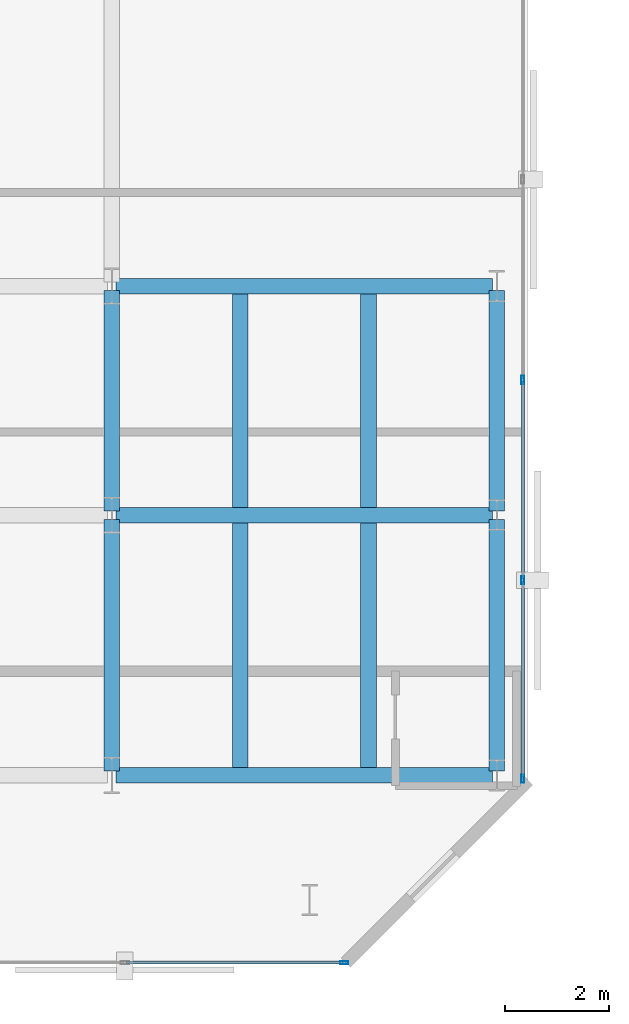
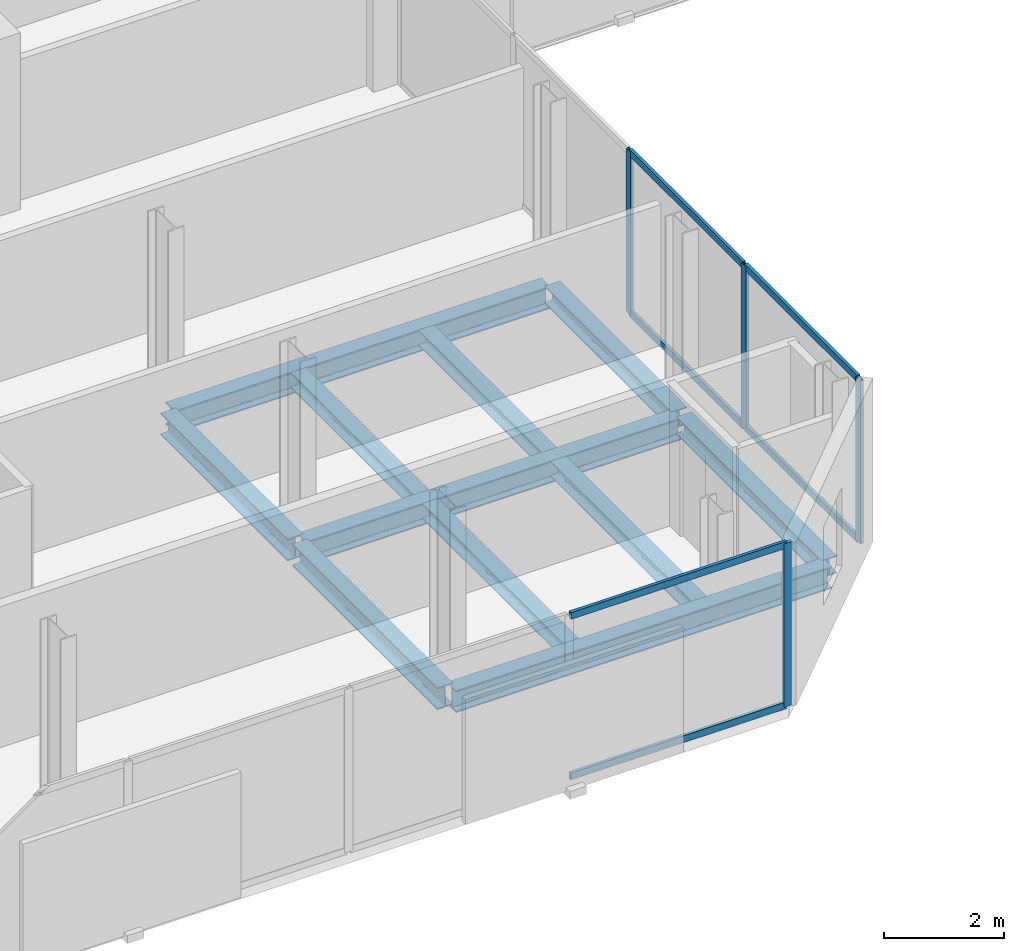
# One storey, part 7 of 32: 11 beams, 10 members, 2 elements without a shape of their own.
"""IFC4 building model written with IfcOpenShell, lengths in metres."""

import ifcopenshell
import ifcopenshell.guid

model = None  # the IFC model being written
_history = None  # IfcOwnerHistory: only IFC2X3 demands one
_inside = {}  # id of a spatial element -> (the spatial element, [elements in it])
_under = {}  # id of a project, library or spatial element -> (it, [spatial elements below it])
_declared = {}  # id of a project -> (the project, [libraries it declares])
_typed = {}  # id of a type object -> (the type object, [elements of that type])
_made_of = {}  # id of a material, layer set ... -> (it, [elements and type objects made of it])


def new_model(schema):
    """Start an empty IFC model of exactly this schema.

    Asked for "IFC4X3", IfcOpenShell would pick the latest addendum, in which some entities
    have other attributes; the version numbers below select the first issue.
    IFC2X3 requires an IfcOwnerHistory on every rooted entity: one is made here for all.
    """
    global model, _history
    if schema == "IFC4X3":
        model = ifcopenshell.file(schema_version=(4, 3, 0, 0))
    else:
        model = ifcopenshell.file(schema=schema)
    _inside.clear()
    _under.clear()
    _declared.clear()
    _typed.clear()
    _made_of.clear()
    _history = None
    if model.schema == "IFC2X3":
        org = make("IfcOrganization", Name="unknown")
        user = make(
            "IfcPersonAndOrganization",
            ThePerson=make("IfcPerson", FamilyName="unknown"),
            TheOrganization=org,
        )
        app = make(
            "IfcApplication",
            ApplicationDeveloper=org,
            Version="unknown",
            ApplicationFullName="unknown",
            ApplicationIdentifier="unknown",
        )
        _history = make(
            "IfcOwnerHistory",
            OwningUser=user,
            OwningApplication=app,
            ChangeAction="ADDED",
            CreationDate=0,
        )
    return model


def make(cls, **values):
    """One entity of the class cls with the attributes given. An attribute that is None is left unset."""
    return model.create_entity(
        cls, **{name: value for name, value in values.items() if value is not None}
    )


def rooted(cls, **values):
    """An entity with a GlobalId (a new one), such as an element, a storey or a relation."""
    return make(cls, GlobalId=ifcopenshell.guid.new(), OwnerHistory=_history, **values)


def si_unit(unit_type, name, prefix=None):
    """IfcSIUnit, for example si_unit("LENGTHUNIT", "METRE", prefix="MILLI")."""
    return make("IfcSIUnit", UnitType=unit_type, Prefix=prefix, Name=name)


def assignment(units):
    """IfcUnitAssignment: the units of a project."""
    return None if units is None else make("IfcUnitAssignment", Units=units)


def point(xyz):
    """IfcCartesianPoint."""
    return None if xyz is None else make("IfcCartesianPoint", Coordinates=xyz)


def direction(xyz):
    """IfcDirection."""
    return None if xyz is None else make("IfcDirection", DirectionRatios=xyz)


def frame(location, z_axis=None, x_axis=None):
    """IfcAxis2Placement3D, a coordinate frame: its origin and axes. An axis left out is left unset."""
    return make(
        "IfcAxis2Placement3D",
        Location=point(location),
        Axis=direction(z_axis),
        RefDirection=direction(x_axis),
    )


def frame_2d(location, x_axis=None):
    """IfcAxis2Placement2D, a coordinate frame in the plane: its origin and x axis."""
    return make(
        "IfcAxis2Placement2D", Location=point(location), RefDirection=direction(x_axis)
    )


def origin():
    """The frame at (0, 0, 0) with its axes left unset."""
    return frame((0.0, 0.0, 0.0))


def origin_2d():
    """The frame at (0, 0) in the plane with its x axis left unset."""
    return frame_2d((0.0, 0.0))


def place(relative_to, where):
    """IfcLocalPlacement: puts the frame where relative to a parent placement (None: the world)."""
    return make(
        "IfcLocalPlacement", PlacementRelTo=relative_to, RelativePlacement=where
    )


def context(
    kind, dimensions, precision=None, world=None, true_north=None, identifier=None
):
    """IfcGeometricRepresentationContext, for example the 3D "Model" context."""
    return make(
        "IfcGeometricRepresentationContext",
        ContextIdentifier=identifier,
        ContextType=kind,
        CoordinateSpaceDimension=dimensions,
        Precision=precision,
        WorldCoordinateSystem=world,
        TrueNorth=true_north,
    )


def subcontext(parent, identifier, kind, view, scale=None):
    """IfcGeometricRepresentationSubContext, for example "Body" below "Model"."""
    return make(
        "IfcGeometricRepresentationSubContext",
        ContextIdentifier=identifier,
        ContextType=kind,
        ParentContext=parent,
        TargetScale=scale,
        TargetView=view,
    )


def project(units=None, contexts=None):
    """IfcProject with its units and contexts."""
    return rooted(
        "IfcProject",
        Name="project",
        RepresentationContexts=contexts,
        UnitsInContext=assignment(units),
    )


def spatial(cls, under=None, at=None, **own):
    """A site, building, storey or space (cls), placed at a placement, below another one or the project."""
    s = rooted(cls, ObjectPlacement=at, **own)
    if under is not None:
        _under.setdefault(under.id(), (under, []))[1].append(s)
    return s


def profile(cls, at=None, kind="AREA", **sizes):
    """A parametric profile (cls). Its sizes go by their IFC names, for example OverallWidth=200.0."""
    return make(cls, ProfileType=kind, Position=at, **sizes)


def hollow_rectangle(**sizes):
    """IfcRectangleHollowProfileDef."""
    return profile("IfcRectangleHollowProfileDef", **sizes)


def i_section(**sizes):
    """IfcIShapeProfileDef."""
    return profile("IfcIShapeProfileDef", **sizes)


def extrude(swept, where, along, depth):
    """IfcExtrudedAreaSolid: the profile swept, set in the frame where, extruded along a direction by depth."""
    return make(
        "IfcExtrudedAreaSolid",
        SweptArea=swept,
        Position=where,
        ExtrudedDirection=direction(along),
        Depth=depth,
    )


def shape(context_of_items, identifier, shape_type, items):
    """IfcShapeRepresentation: the items that make up one representation, for example the "Body"."""
    return make(
        "IfcShapeRepresentation",
        ContextOfItems=context_of_items,
        RepresentationIdentifier=identifier,
        RepresentationType=shape_type,
        Items=items,
    )


def material(Name=None, Category=None):
    """IfcMaterial."""
    return make("IfcMaterial", Name=Name, Category=Category)


def layer(
    of_material, thickness, ventilated=None, Name=None, Category=None, Priority=None
):
    """IfcMaterialLayer: one layer of a wall or slab, of a material (None: an air gap)."""
    return make(
        "IfcMaterialLayer",
        Material=of_material,
        LayerThickness=thickness,
        IsVentilated=ventilated,
        Name=Name,
        Category=Category,
        Priority=Priority,
    )


def layer_set(layers, Name=None):
    """IfcMaterialLayerSet."""
    return make("IfcMaterialLayerSet", MaterialLayers=layers, LayerSetName=Name)


def material_profile(
    of_material, cross_section, Name=None, Category=None, Priority=None
):
    """IfcMaterialProfile: a cross section and its material."""
    return make(
        "IfcMaterialProfile",
        Name=Name,
        Material=of_material,
        Profile=cross_section,
        Priority=Priority,
        Category=Category,
    )


def profile_set(profiles, Name=None, composite=None):
    """IfcMaterialProfileSet."""
    return make(
        "IfcMaterialProfileSet",
        Name=Name,
        MaterialProfiles=profiles,
        CompositeProfile=composite,
    )


def made_of(thing, what):
    """Note that an element or type object is made of a material, layer set ...; save() writes the relation."""
    if what is not None:
        _made_of.setdefault(what.id(), (what, []))[1].append(thing)
    return thing


def type_object(cls, material=None, **own):
    """A type object (cls), such as IfcWallType, which elements share."""
    return made_of(rooted(cls, **own), material)


def element(
    cls,
    number,
    at=None,
    inside=None,
    cuts=None,
    type_object=None,
    material=None,
    context=None,
    identifier="Body",
    shape_type=None,
    held_by="IfcProductDefinitionShape",
    body=None,
    shapes=None,
    **own,
):
    """One element of the class cls, such as IfcWall. Its Tag is "e" and its number.

    at: its placement. inside: the storey or other place that contains it. cuts: it is an
    opening in that element (IfcRelVoidsElement). A single representation is given by context,
    identifier, shape_type and body (its items); several are given by shapes. held_by: the class
    of the entity that holds the representations. save() writes the other relations.
    """
    e = rooted(cls, Tag="e%d" % number, ObjectPlacement=at, **own)
    if body is not None:
        shapes = [shape(context, identifier, shape_type, body)]
    if shapes is not None:
        e.Representation = make(held_by, Representations=shapes)
    if inside is not None:
        _inside.setdefault(inside.id(), (inside, []))[1].append(e)
    if cuts is not None:
        rooted(
            "IfcRelVoidsElement", RelatingBuildingElement=cuts, RelatedOpeningElement=e
        )
    if type_object is not None:
        _typed.setdefault(type_object.id(), (type_object, []))[1].append(e)
    return made_of(e, material)


def aggregate(whole, parts):
    """IfcRelAggregates: a whole, such as a stair, and the parts it consists of."""
    return rooted("IfcRelAggregates", RelatingObject=whole, RelatedObjects=parts)


def save(model, path):
    """Write the relations noted so far, then the file.

    IfcRelAggregates (storeys below a building ...), IfcRelContainedInSpatialStructure (elements
    in a storey), IfcRelDefinesByType, IfcRelAssociatesMaterial and IfcRelDeclares: one each for
    every whole, place, type object, material and project.
    """
    for whole, parts in _under.values():
        aggregate(whole, parts)
    for where, things in _inside.values():
        rooted(
            "IfcRelContainedInSpatialStructure",
            RelatedElements=things,
            RelatingStructure=where,
        )
    for kind, things in _typed.values():
        rooted("IfcRelDefinesByType", RelatedObjects=things, RelatingType=kind)
    for what, things in _made_of.values():
        rooted("IfcRelAssociatesMaterial", RelatedObjects=things, RelatingMaterial=what)
    for by, libraries in _declared.values():
        rooted("IfcRelDeclares", RelatingContext=by, RelatedDefinitions=libraries)
    model.write(path)


model = new_model("IFC4")

# Units and contexts
model_context = context("Model", 3, precision=1e-05, world=origin(), true_north=direction((0.0, 1.0)))
body_context = subcontext(model_context, "Body", "Model", "MODEL_VIEW")
ifc_project = project(units=[si_unit("LENGTHUNIT", "METRE"), si_unit("AREAUNIT", "SQUARE_METRE"), si_unit("VOLUMEUNIT", "CUBIC_METRE"), si_unit("PLANEANGLEUNIT", "RADIAN"), si_unit("MASSUNIT", "GRAM", prefix="KILO")], contexts=[model_context])

# Site, building, storey
site_placement = place(None, origin())
site = spatial("IfcSite", under=ifc_project, at=site_placement, CompositionType="ELEMENT")
building_placement = place(site_placement, origin())
building = spatial("IfcBuilding", under=site, at=building_placement, Name="Catumbela Crestline Tower", CompositionType="ELEMENT")
storey_placement = place(building_placement, frame((0.0, 0.0, 126.0)))
storey = spatial("IfcBuildingStorey", under=building, at=storey_placement, Name="L32", CompositionType="ELEMENT", Elevation=126.0)

# Beams
ifc_material_1 = material(Name="Structural steel S355J2", Category="steel")
ifc_material_profile_1 = material_profile(ifc_material_1, i_section(OverallWidth=0.3, OverallDepth=0.45, WebThickness=0.014, FlangeThickness=0.026, FilletRadius=0.027, at=origin_2d()), Name="HEB 450")
ifc_profile_set_1 = profile_set([ifc_material_profile_1], Name="Structural steel S355J2")
beam_type_1 = type_object("IfcBeamType", Name="BG-HEB450", PredefinedType="BEAM", material=ifc_profile_set_1)
for number, where, z_axis, x_axis, name in (
    (1, (16.08, 8.6, -0.485), (1.0, 0.0, 0.0), (0.0, 1.0, 0.0), "L32 Beam BM-L32-WEW45"),
    (2, (16.08, 13.6, -0.485), (1.0, 0.0, 0.0), (0.0, 1.0, 0.0), "L32 Beam BM-L32-WEW48"),
    (3, (16.08, 18.0, -0.485), (1.0, 0.0, 0.0), (0.0, 1.0, 0.0), "L32 Beam BM-L32-WEW51"),
):
    element("IfcBeam", number, at=place(storey_placement, frame(where, z_axis=z_axis, x_axis=x_axis)), inside=storey, type_object=beam_type_1, Name=name, PredefinedType="BEAM", context=body_context, shape_type="SweptSolid", body=[
        extrude(i_section(OverallWidth=0.3, OverallDepth=0.45, WebThickness=0.014, FlangeThickness=0.026, FilletRadius=0.027, at=origin_2d()), origin(), (0.0, 0.0, 1.0), 7.24),
    ])
beam_1_placement = place(storey_placement, frame((16.0, 8.68, -0.485), z_axis=(0.0, 1.0, 0.0), x_axis=(-1.0, 0.0, 0.0)))
element("IfcBeam", 4, at=beam_1_placement, inside=storey, type_object=beam_type_1, Name="L32 Beam BM-L32-WNS58", PredefinedType="BEAM", context=body_context, shape_type="SweptSolid", body=[
    extrude(i_section(OverallWidth=0.3, OverallDepth=0.45, WebThickness=0.014, FlangeThickness=0.026, FilletRadius=0.027, at=origin_2d()), origin(), (0.0, 0.0, 1.0), 4.84),
])
beam_2_placement = place(storey_placement, frame((16.0, 13.68, -0.485), z_axis=(0.0, 1.0, 0.0), x_axis=(-1.0, 0.0, 0.0)))
element("IfcBeam", 5, at=beam_2_placement, inside=storey, type_object=beam_type_1, Name="L32 Beam BM-L32-WNS59", PredefinedType="BEAM", context=body_context, shape_type="SweptSolid", body=[
    extrude(i_section(OverallWidth=0.3, OverallDepth=0.45, WebThickness=0.014, FlangeThickness=0.026, FilletRadius=0.027, at=origin_2d()), origin(), (0.0, 0.0, 1.0), 4.24),
])
ifc_material_profile_2 = material_profile(ifc_material_1, i_section(OverallWidth=0.3, OverallDepth=0.31, WebThickness=0.009, FlangeThickness=0.0155, FilletRadius=0.027, at=origin_2d()), Name="HEA 320")
ifc_profile_set_2 = profile_set([ifc_material_profile_2], Name="Structural steel S355J2")
beam_type_2 = type_object("IfcBeamType", Name="BJ-HEA320", PredefinedType="JOIST", material=ifc_profile_set_2)
for number, where, z_axis, x_axis, name in (
    (6, (18.467, 8.747, -0.415), (0.0, 1.0, 0.0), (-1.0, 0.0, 0.0), "L32 Joist JS-L32-WG67"),
    (7, (20.933, 8.747, -0.415), (0.0, 1.0, 0.0), (-1.0, 0.0, 0.0), "L32 Joist JS-L32-WG68"),
):
    element("IfcBeam", number, at=place(storey_placement, frame(where, z_axis=z_axis, x_axis=x_axis)), inside=storey, type_object=beam_type_2, Name=name, PredefinedType="JOIST", context=body_context, shape_type="SweptSolid", body=[
        extrude(i_section(OverallWidth=0.3, OverallDepth=0.31, WebThickness=0.009, FlangeThickness=0.0155, FilletRadius=0.027, at=origin_2d()), origin(), (0.0, 0.0, 1.0), 4.706),
    ])
for number, where, z_axis, x_axis, name in (
    (8, (18.467, 13.747, -0.415), (0.0, 1.0, 0.0), (-1.0, 0.0, 0.0), "L32 Joist JS-L32-WG73"),
    (9, (20.933, 13.747, -0.415), (0.0, 1.0, 0.0), (-1.0, 0.0, 0.0), "L32 Joist JS-L32-WG74"),
):
    element("IfcBeam", number, at=place(storey_placement, frame(where, z_axis=z_axis, x_axis=x_axis)), inside=storey, type_object=beam_type_2, Name=name, PredefinedType="JOIST", context=body_context, shape_type="SweptSolid", body=[
        extrude(i_section(OverallWidth=0.3, OverallDepth=0.31, WebThickness=0.009, FlangeThickness=0.0155, FilletRadius=0.027, at=origin_2d()), origin(), (0.0, 0.0, 1.0), 4.106),
    ])

# Curtain wall, member
ifc_material_2 = material(Name="Aluminium alloy AW-6060-T66", Category="aluminium")
ifc_layer = layer(ifc_material_2, 0.18, Name="Aluminium alloy AW-6060-T66")
ifc_layer_set = layer_set([ifc_layer], Name="Aluminium alloy AW-6060-T66")
curtain_wall_type = type_object("IfcCurtainWallType", Name="CWU-Z2", PredefinedType="USERDEFINED", material=ifc_layer_set)
curtain_wall_1_placement = place(storey_placement, origin())
curtain_wall_1 = element("IfcCurtainWall", 10, at=curtain_wall_1_placement, inside=storey, type_object=curtain_wall_type, Name="L32 Unitised Curtain Wall CW-L32-E0S1", ObjectType="UNITISED", PredefinedType="USERDEFINED")
ifc_material_profile_3 = material_profile(ifc_material_2, hollow_rectangle(XDim=0.06, YDim=0.16, WallThickness=0.004, at=origin_2d()), Name="ALU 160x60x4")
ifc_profile_set_3 = profile_set([ifc_material_profile_3], Name="Aluminium alloy AW-6060-T66")
member_type_1 = type_object("IfcMemberType", Name="MUL-160X60", PredefinedType="MULLION", material=ifc_profile_set_3)
member_1_placement = place(storey_placement, frame((20.4675, 5.0, 0.0), z_axis=(0.0, 0.0, 1.0), x_axis=(0.0, 1.0, 0.0)))
member_1 = element("IfcMember", 11, at=member_1_placement, type_object=member_type_1, Name="CWU-Z2 mullion 5", PredefinedType="MULLION", context=body_context, shape_type="SweptSolid", body=[
    extrude(hollow_rectangle(XDim=0.06, YDim=0.16, WallThickness=0.004, at=origin_2d()), origin(), (0.0, 0.0, 1.0), 3.33),
])

# Curtain wall, members
curtain_wall_2_placement = place(storey_placement, origin())
curtain_wall_2 = element("IfcCurtainWall", 12, at=curtain_wall_2_placement, inside=storey, type_object=curtain_wall_type, Name="L32 Unitised Curtain Wall CW-L32-E2S1", ObjectType="UNITISED", PredefinedType="USERDEFINED")
member_2_placement = place(storey_placement, frame((23.9, 8.5325, 0.0), z_axis=(0.0, 0.0, 1.0), x_axis=(-1.0, 0.0, 0.0)))
member_2 = element("IfcMember", 13, at=member_2_placement, type_object=member_type_1, Name="CWU-Z2 mullion 1", PredefinedType="MULLION", context=body_context, shape_type="SweptSolid", body=[
    extrude(hollow_rectangle(XDim=0.06, YDim=0.16, WallThickness=0.004, at=origin_2d()), origin(), (0.0, 0.0, 1.0), 3.33),
])
member_3_placement = place(storey_placement, frame((23.9, 12.35, 0.0), z_axis=(0.0, 0.0, 1.0), x_axis=(-1.0, 0.0, 0.0)))
member_3 = element("IfcMember", 14, at=member_3_placement, type_object=member_type_1, Name="CWU-Z2 mullion 2", PredefinedType="MULLION", context=body_context, shape_type="SweptSolid", body=[
    extrude(hollow_rectangle(XDim=0.06, YDim=0.16, WallThickness=0.004, at=origin_2d()), origin(), (0.0, 0.0, 1.0), 3.33),
])
member_4_placement = place(storey_placement, frame((23.9, 16.2, 0.0), z_axis=(0.0, 0.0, 1.0), x_axis=(-1.0, 0.0, 0.0)))
member_4 = element("IfcMember", 15, at=member_4_placement, type_object=member_type_1, Name="CWU-Z2 mullion 3", PredefinedType="MULLION", context=body_context, shape_type="SweptSolid", body=[
    extrude(hollow_rectangle(XDim=0.06, YDim=0.16, WallThickness=0.004, at=origin_2d()), origin(), (0.0, 0.0, 1.0), 3.33),
])

# Beams
ifc_material_profile_4 = material_profile(ifc_material_1, i_section(OverallWidth=0.3, OverallDepth=0.36, WebThickness=0.0125, FlangeThickness=0.0225, FilletRadius=0.027, at=origin_2d()), Name="HEB 360")
ifc_profile_set_4 = profile_set([ifc_material_profile_4], Name="Structural steel S355J2")
beam_type_3 = type_object("IfcBeamType", Name="BS-HEB360", PredefinedType="SPANDREL", material=ifc_profile_set_4)
beam_3_placement = place(storey_placement, frame((23.4, 8.68, -0.44), z_axis=(0.0, 1.0, 0.0), x_axis=(-1.0, 0.0, 0.0)))
element("IfcBeam", 16, at=beam_3_placement, inside=storey, type_object=beam_type_3, Name="L32 Spandrel SP-L32-WNS61", PredefinedType="SPANDREL", context=body_context, shape_type="SweptSolid", body=[
    extrude(i_section(OverallWidth=0.3, OverallDepth=0.36, WebThickness=0.0125, FlangeThickness=0.0225, FilletRadius=0.027, at=origin_2d()), origin(), (0.0, 0.0, 1.0), 4.84),
])
beam_4_placement = place(storey_placement, frame((23.4, 13.68, -0.44), z_axis=(0.0, 1.0, 0.0), x_axis=(-1.0, 0.0, 0.0)))
element("IfcBeam", 17, at=beam_4_placement, inside=storey, type_object=beam_type_3, Name="L32 Spandrel SP-L32-WNS62", PredefinedType="SPANDREL", context=body_context, shape_type="SweptSolid", body=[
    extrude(i_section(OverallWidth=0.3, OverallDepth=0.36, WebThickness=0.0125, FlangeThickness=0.0225, FilletRadius=0.027, at=origin_2d()), origin(), (0.0, 0.0, 1.0), 4.24),
])

# Member
ifc_material_profile_5 = material_profile(ifc_material_2, hollow_rectangle(XDim=0.06, YDim=0.14, WallThickness=0.004, at=origin_2d()), Name="ALU 140x60x4")
ifc_profile_set_5 = profile_set([ifc_material_profile_5], Name="Aluminium alloy AW-6060-T66")
member_type_2 = type_object("IfcMemberType", Name="TRN-140X60", PredefinedType="USERDEFINED", material=ifc_profile_set_5)
member_5_placement = place(storey_placement, frame((16.2825, 5.0, 0.03), z_axis=(1.0, 0.0, 0.0), x_axis=(0.0, 1.0, 0.0)))
member_5 = element("IfcMember", 18, at=member_5_placement, type_object=member_type_2, Name="CWU-Z2 transom 4.1", ObjectType="TRANSOM", PredefinedType="USERDEFINED", context=body_context, shape_type="SweptSolid", body=[
    extrude(hollow_rectangle(XDim=0.06, YDim=0.14, WallThickness=0.004, at=origin_2d()), origin(), (0.0, 0.0, 1.0), 4.1525),
])

member_6_placement = place(storey_placement, frame((16.2825, 5.0, 3.3), z_axis=(1.0, 0.0, 0.0), x_axis=(0.0, 1.0, 0.0)))
member_6 = element("IfcMember", 19, at=member_6_placement, type_object=member_type_2, Name="CWU-Z2 transom 4.2", ObjectType="TRANSOM", PredefinedType="USERDEFINED", context=body_context, shape_type="SweptSolid", body=[
    extrude(hollow_rectangle(XDim=0.06, YDim=0.14, WallThickness=0.004, at=origin_2d()), origin(), (0.0, 0.0, 1.0), 4.1525),
])

aggregate(curtain_wall_1, [member_1, member_5, member_6])

member_7_placement = place(storey_placement, frame((23.9, 8.565, 0.03), z_axis=(0.0, 1.0, 0.0), x_axis=(-1.0, 0.0, 0.0)))
member_7 = element("IfcMember", 20, at=member_7_placement, type_object=member_type_2, Name="CWU-Z2 transom 1.1", ObjectType="TRANSOM", PredefinedType="USERDEFINED", context=body_context, shape_type="SweptSolid", body=[
    extrude(hollow_rectangle(XDim=0.06, YDim=0.14, WallThickness=0.004, at=origin_2d()), origin(), (0.0, 0.0, 1.0), 3.7525),
])

member_8_placement = place(storey_placement, frame((23.9, 8.565, 3.3), z_axis=(0.0, 1.0, 0.0), x_axis=(-1.0, 0.0, 0.0)))
member_8 = element("IfcMember", 21, at=member_8_placement, type_object=member_type_2, Name="CWU-Z2 transom 1.2", ObjectType="TRANSOM", PredefinedType="USERDEFINED", context=body_context, shape_type="SweptSolid", body=[
    extrude(hollow_rectangle(XDim=0.06, YDim=0.14, WallThickness=0.004, at=origin_2d()), origin(), (0.0, 0.0, 1.0), 3.7525),
])

member_9_placement = place(storey_placement, frame((23.9, 12.3825, 0.03), z_axis=(0.0, 1.0, 0.0), x_axis=(-1.0, 0.0, 0.0)))
member_9 = element("IfcMember", 22, at=member_9_placement, type_object=member_type_2, Name="CWU-Z2 transom 2.1", ObjectType="TRANSOM", PredefinedType="USERDEFINED", context=body_context, shape_type="SweptSolid", body=[
    extrude(hollow_rectangle(XDim=0.06, YDim=0.14, WallThickness=0.004, at=origin_2d()), origin(), (0.0, 0.0, 1.0), 3.785),
])

member_10_placement = place(storey_placement, frame((23.9, 12.3825, 3.3), z_axis=(0.0, 1.0, 0.0), x_axis=(-1.0, 0.0, 0.0)))
member_10 = element("IfcMember", 23, at=member_10_placement, type_object=member_type_2, Name="CWU-Z2 transom 2.2", ObjectType="TRANSOM", PredefinedType="USERDEFINED", context=body_context, shape_type="SweptSolid", body=[
    extrude(hollow_rectangle(XDim=0.06, YDim=0.14, WallThickness=0.004, at=origin_2d()), origin(), (0.0, 0.0, 1.0), 3.785),
])

aggregate(curtain_wall_2, [member_2, member_3, member_4, member_7, member_8, member_9, member_10])

save(model, "model.ifc")
